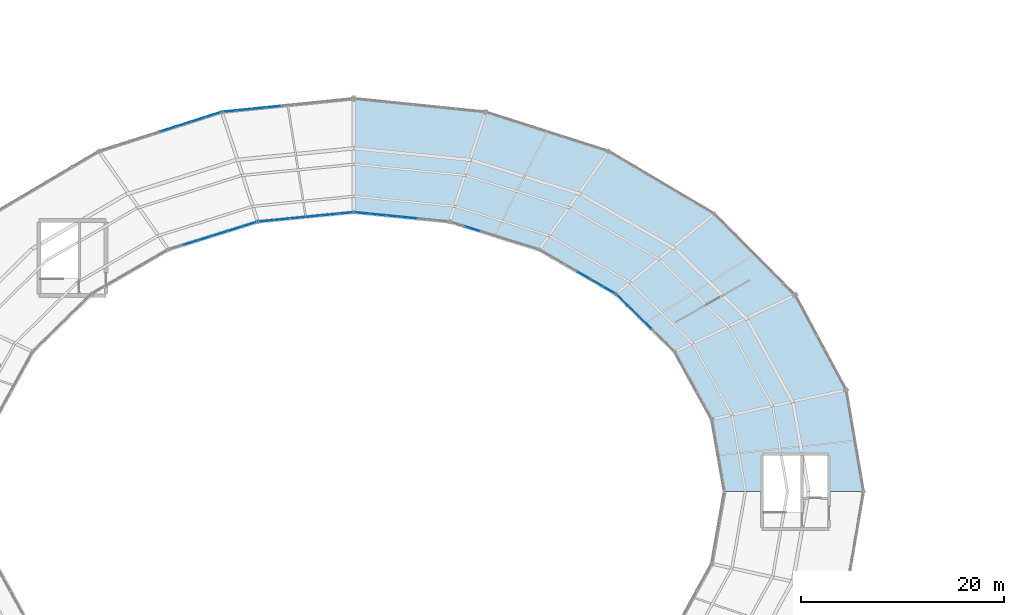
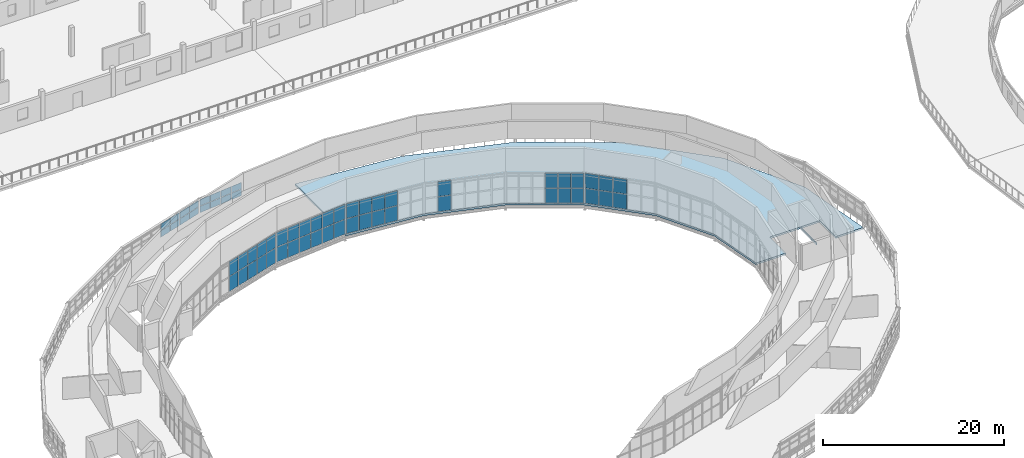
# One storey, part 84 of 123: 60 plates, 1 slab, 8 elements without a shape of their own.
"""IFC4 building model written with IfcOpenShell, lengths in metres."""

from ifc_helpers import new_model, si_unit, direction, frame, origin, origin_2d, place, context, subcontext, project, spatial, polyline, rectangle, outline, extrude, material, layer, layer_set, type_object, element, aggregate, save


model = new_model("IFC4")

# Units and contexts
model_context = context("Model", 3, precision=1e-05, world=origin(), true_north=direction((0.0, 1.0)))
body_context = subcontext(model_context, "Body", "Model", "MODEL_VIEW")
ifc_project = project(units=[si_unit("LENGTHUNIT", "METRE"), si_unit("AREAUNIT", "SQUARE_METRE"), si_unit("VOLUMEUNIT", "CUBIC_METRE"), si_unit("PLANEANGLEUNIT", "RADIAN"), si_unit("MASSUNIT", "GRAM", prefix="KILO")], contexts=[model_context])

# Site, building, storey
site_placement = place(None, origin())
site = spatial("IfcSite", under=ifc_project, at=site_placement, CompositionType="ELEMENT")
building_placement = place(site_placement, origin())
building = spatial("IfcBuilding", under=site, at=building_placement, Name="Kildeholm Park Wholesale Market", CompositionType="ELEMENT")
storey_placement = place(building_placement, frame((0.0, 0.0, 9.60009765625)))
storey = spatial("IfcBuildingStorey", under=building, at=storey_placement, Name="L02", CompositionType="ELEMENT", Elevation=9.60009765625)

# Curtain wall, plates
ifc_material_1 = material(Name="Anodised aluminium and low-E double-glazed glass", Category="aluminium")
curtain_wall_type = type_object("IfcCurtainWallType", Name="Clerestory daylight stick curtain wall CW-02", PredefinedType="NOTDEFINED", material=ifc_material_1)
curtain_wall_1_placement = place(storey_placement, origin())
curtain_wall_1 = element("IfcCurtainWall", 1, at=curtain_wall_1_placement, inside=storey, type_object=curtain_wall_type, Name="Curtain wall CW-V1-IN2-02 CW-0015", PredefinedType="NOTDEFINED")
ifc_material_2 = material(Name="Triple-glazed solar-control glass", Category="glass")
ifc_layer_1 = layer(ifc_material_2, 0.035888671875)
ifc_layer_set_1 = layer_set([ifc_layer_1], Name="Triple-glazed solar-control glass")
plate_type_1 = type_object("IfcPlateType", Name="Curtain-wall panel CWP-2 36 mm", PredefinedType="CURTAIN_PANEL", material=ifc_layer_set_1)
plate_1_placement = place(storey_placement, frame((127.714599609375, 106.1005859375, 0.06005859375), z_axis=(0.0, 0.0, 1.0), x_axis=(-0.713537995789, 0.700616534607, 0.0)))
plate_1 = element("IfcPlate", 2, at=plate_1_placement, type_object=plate_type_1, Name="CW-02 panel 3.1 PLT-0348", PredefinedType="CURTAIN_PANEL", context=body_context, shape_type="SweptSolid", body=[
    extrude(rectangle(XDim=1.5498046875, YDim=0.035888671875, at=origin_2d()), origin(), (0.0, 0.0, 1.0), 1.985107421875),
])
plate_2_placement = place(storey_placement, frame((127.714599609375, 106.1005859375, 2.10498046875), z_axis=(0.0, 0.0, 1.0), x_axis=(-0.713537995789, 0.700616534607, 0.0)))
plate_2 = element("IfcPlate", 3, at=plate_2_placement, type_object=plate_type_1, Name="CW-02 panel 3.2 PLT-0349", PredefinedType="CURTAIN_PANEL", context=body_context, shape_type="SweptSolid", body=[
    extrude(rectangle(XDim=1.5498046875, YDim=0.035888671875, at=origin_2d()), origin(), (0.0, 0.0, 1.0), 1.985107421875),
])
plate_3_placement = place(storey_placement, frame((126.56591796875, 107.228271484375, 0.06005859375), z_axis=(0.0, 0.0, 1.0), x_axis=(-0.713537995789, 0.700616534607, 0.0)))
plate_3 = element("IfcPlate", 4, at=plate_3_placement, type_object=plate_type_1, Name="CW-02 panel 4.1 PLT-0350", PredefinedType="CURTAIN_PANEL", context=body_context, shape_type="SweptSolid", body=[
    extrude(rectangle(XDim=1.5498046875, YDim=0.035888671875, at=origin_2d()), origin(), (0.0, 0.0, 1.0), 1.985107421875),
])
plate_4_placement = place(storey_placement, frame((126.56591796875, 107.228271484375, 2.10498046875), z_axis=(0.0, 0.0, 1.0), x_axis=(-0.713537995789, 0.700616534607, 0.0)))
plate_4 = element("IfcPlate", 5, at=plate_4_placement, type_object=plate_type_1, Name="CW-02 panel 4.2 PLT-0351", PredefinedType="CURTAIN_PANEL", context=body_context, shape_type="SweptSolid", body=[
    extrude(rectangle(XDim=1.5498046875, YDim=0.035888671875, at=origin_2d()), origin(), (0.0, 0.0, 1.0), 1.985107421875),
])
plate_5_placement = place(storey_placement, frame((125.427978515625, 108.345703125, 0.06005859375), z_axis=(0.0, 0.0, 1.0), x_axis=(-0.713537995789, 0.700616534607, 0.0)))
plate_5 = element("IfcPlate", 6, at=plate_5_placement, type_object=plate_type_1, Name="CW-02 panel 5.1 PLT-0352", PredefinedType="CURTAIN_PANEL", context=body_context, shape_type="SweptSolid", body=[
    extrude(rectangle(XDim=1.519775390625, YDim=0.035888671875, at=origin_2d()), origin(), (0.0, 0.0, 1.0), 1.985107421875),
])
plate_6_placement = place(storey_placement, frame((125.427978515625, 108.345703125, 2.10498046875), z_axis=(0.0, 0.0, 1.0), x_axis=(-0.713537995789, 0.700616534607, 0.0)))
plate_6 = element("IfcPlate", 7, at=plate_6_placement, type_object=plate_type_1, Name="CW-02 panel 5.2 PLT-0353", PredefinedType="CURTAIN_PANEL", context=body_context, shape_type="SweptSolid", body=[
    extrude(rectangle(XDim=1.519775390625, YDim=0.035888671875, at=origin_2d()), origin(), (0.0, 0.0, 1.0), 1.985107421875),
])
aggregate(curtain_wall_1, [plate_1, plate_2, plate_3, plate_4, plate_5, plate_6])

curtain_wall_2_placement = place(storey_placement, origin())
curtain_wall_2 = element("IfcCurtainWall", 8, at=curtain_wall_2_placement, inside=storey, type_object=curtain_wall_type, Name="Curtain wall CW-V1-IN2-03 CW-0020", PredefinedType="NOTDEFINED")
plate_7_placement = place(storey_placement, frame((124.140869140625, 109.33740234375, 0.06005859375), z_axis=(0.0, 0.0, 1.0), x_axis=(-0.865742656621, 0.500489412982, 0.0)))
plate_7 = element("IfcPlate", 9, at=plate_7_placement, type_object=plate_type_1, Name="CW-02 panel 1.1 PLT-0412", PredefinedType="CURTAIN_PANEL", context=body_context, shape_type="SweptSolid", body=[
    extrude(rectangle(XDim=1.351806640625, YDim=0.035888671875, at=origin_2d()), origin(), (0.0, 0.0, 1.0), 1.985107421875),
])
plate_8_placement = place(storey_placement, frame((124.140869140625, 109.33740234375, 2.10498046875), z_axis=(0.0, 0.0, 1.0), x_axis=(-0.865742656621, 0.500489412982, 0.0)))
plate_8 = element("IfcPlate", 10, at=plate_8_placement, type_object=plate_type_1, Name="CW-02 panel 1.2 PLT-0413", PredefinedType="CURTAIN_PANEL", context=body_context, shape_type="SweptSolid", body=[
    extrude(rectangle(XDim=1.351806640625, YDim=0.035888671875, at=origin_2d()), origin(), (0.0, 0.0, 1.0), 1.985107421875),
])
plate_9_placement = place(storey_placement, frame((122.905517578125, 110.051513671875, 0.06005859375), z_axis=(0.0, 0.0, 1.0), x_axis=(-0.865742656621, 0.500489412982, 0.0)))
plate_9 = element("IfcPlate", 11, at=plate_9_placement, type_object=plate_type_1, Name="CW-02 panel 2.1 PLT-0414", PredefinedType="CURTAIN_PANEL", context=body_context, shape_type="SweptSolid", body=[
    extrude(rectangle(XDim=1.3818359375, YDim=0.035888671875, at=origin_2d()), origin(), (0.0, 0.0, 1.0), 1.985107421875),
])
plate_10_placement = place(storey_placement, frame((122.905517578125, 110.051513671875, 2.10498046875), z_axis=(0.0, 0.0, 1.0), x_axis=(-0.865742656621, 0.500489412982, 0.0)))
plate_10 = element("IfcPlate", 12, at=plate_10_placement, type_object=plate_type_1, Name="CW-02 panel 2.2 PLT-0415", PredefinedType="CURTAIN_PANEL", context=body_context, shape_type="SweptSolid", body=[
    extrude(rectangle(XDim=1.3818359375, YDim=0.035888671875, at=origin_2d()), origin(), (0.0, 0.0, 1.0), 1.985107421875),
])
plate_11_placement = place(storey_placement, frame((121.6572265625, 110.773193359375, 0.06005859375), z_axis=(0.0, 0.0, 1.0), x_axis=(-0.865742656621, 0.500489412982, 0.0)))
plate_11 = element("IfcPlate", 13, at=plate_11_placement, type_object=plate_type_1, Name="CW-02 panel 3.1 PLT-0416", PredefinedType="CURTAIN_PANEL", context=body_context, shape_type="SweptSolid", body=[
    extrude(rectangle(XDim=1.3818359375, YDim=0.035888671875, at=origin_2d()), origin(), (0.0, 0.0, 1.0), 1.985107421875),
])
plate_12_placement = place(storey_placement, frame((121.6572265625, 110.773193359375, 2.10498046875), z_axis=(0.0, 0.0, 1.0), x_axis=(-0.865742656621, 0.500489412982, 0.0)))
plate_12 = element("IfcPlate", 14, at=plate_12_placement, type_object=plate_type_1, Name="CW-02 panel 3.2 PLT-0417", PredefinedType="CURTAIN_PANEL", context=body_context, shape_type="SweptSolid", body=[
    extrude(rectangle(XDim=1.3818359375, YDim=0.035888671875, at=origin_2d()), origin(), (0.0, 0.0, 1.0), 1.985107421875),
])
aggregate(curtain_wall_2, [plate_7, plate_8, plate_9, plate_10, plate_11, plate_12])

curtain_wall_3_placement = place(storey_placement, origin())
curtain_wall_3 = element("IfcCurtainWall", 15, at=curtain_wall_3_placement, inside=storey, type_object=curtain_wall_type, Name="Curtain wall CW-V1-IN2-04 CW-0025", PredefinedType="NOTDEFINED")
plate_13_placement = place(storey_placement, frame((110.668701171875, 115.3740234375, 0.06005859375), z_axis=(0.0, 0.0, 1.0), x_axis=(-0.954579186683, 0.297957339818, 0.0)))
plate_13 = element("IfcPlate", 16, at=plate_13_placement, type_object=plate_type_1, Name="CW-02 panel 5.1 PLT-0492", PredefinedType="CURTAIN_PANEL", context=body_context, shape_type="SweptSolid", body=[
    extrude(rectangle(XDim=1.463623046875, YDim=0.035888671875, at=origin_2d()), origin(), (0.0, 0.0, 1.0), 1.985107421875),
])
plate_14_placement = place(storey_placement, frame((110.668701171875, 115.3740234375, 2.10498046875), z_axis=(0.0, 0.0, 1.0), x_axis=(-0.954579186683, 0.297957339818, 0.0)))
plate_14 = element("IfcPlate", 17, at=plate_14_placement, type_object=plate_type_1, Name="CW-02 panel 5.2 PLT-0493", PredefinedType="CURTAIN_PANEL", context=body_context, shape_type="SweptSolid", body=[
    extrude(rectangle(XDim=1.463623046875, YDim=0.035888671875, at=origin_2d()), origin(), (0.0, 0.0, 1.0), 1.985107421875),
])
aggregate(curtain_wall_3, [plate_13, plate_14])

curtain_wall_4_placement = place(storey_placement, origin())
curtain_wall_4 = element("IfcCurtainWall", 18, at=curtain_wall_4_placement, inside=storey, type_object=curtain_wall_type, Name="Curtain wall CW-V1-IN2-05 CW-0029", PredefinedType="NOTDEFINED")
plate_15_placement = place(storey_placement, frame((104.504638671875, 116.4580078125, 0.06005859375), z_axis=(0.0, 0.0, 1.0), x_axis=(-0.995118887444, 0.098683331174, 0.0)))
plate_15 = element("IfcPlate", 19, at=plate_15_placement, type_object=plate_type_1, Name="CW-02 panel 3.1 PLT-0550", PredefinedType="CURTAIN_PANEL", context=body_context, shape_type="SweptSolid", body=[
    extrude(rectangle(XDim=1.509033203125, YDim=0.035888671875, at=origin_2d()), origin(), (0.0, 0.0, 1.0), 1.985107421875),
])
plate_16_placement = place(storey_placement, frame((104.504638671875, 116.4580078125, 2.10498046875), z_axis=(0.0, 0.0, 1.0), x_axis=(-0.995118887444, 0.098683331174, 0.0)))
plate_16 = element("IfcPlate", 20, at=plate_16_placement, type_object=plate_type_1, Name="CW-02 panel 3.2 PLT-0551", PredefinedType="CURTAIN_PANEL", context=body_context, shape_type="SweptSolid", body=[
    extrude(rectangle(XDim=1.509033203125, YDim=0.035888671875, at=origin_2d()), origin(), (0.0, 0.0, 1.0), 1.985107421875),
])
plate_17_placement = place(storey_placement, frame((102.943359375, 116.613037109375, 0.06005859375), z_axis=(0.0, 0.0, 1.0), x_axis=(-0.995118887444, 0.098683331174, 0.0)))
plate_17 = element("IfcPlate", 21, at=plate_17_placement, type_object=plate_type_1, Name="CW-02 panel 4.1 PLT-0552", PredefinedType="CURTAIN_PANEL", context=body_context, shape_type="SweptSolid", body=[
    extrude(rectangle(XDim=1.509033203125, YDim=0.035888671875, at=origin_2d()), origin(), (0.0, 0.0, 1.0), 1.985107421875),
])
plate_18_placement = place(storey_placement, frame((102.943359375, 116.613037109375, 2.10498046875), z_axis=(0.0, 0.0, 1.0), x_axis=(-0.995118887444, 0.098683331174, 0.0)))
plate_18 = element("IfcPlate", 22, at=plate_18_placement, type_object=plate_type_1, Name="CW-02 panel 4.2 PLT-0553", PredefinedType="CURTAIN_PANEL", context=body_context, shape_type="SweptSolid", body=[
    extrude(rectangle(XDim=1.509033203125, YDim=0.035888671875, at=origin_2d()), origin(), (0.0, 0.0, 1.0), 1.985107421875),
])
plate_19_placement = place(storey_placement, frame((101.382080078125, 116.767822265625, 0.06005859375), z_axis=(0.0, 0.0, 1.0), x_axis=(-0.995118887444, 0.098683331174, 0.0)))
plate_19 = element("IfcPlate", 23, at=plate_19_placement, type_object=plate_type_1, Name="CW-02 panel 5.1 PLT-0554", PredefinedType="CURTAIN_PANEL", context=body_context, shape_type="SweptSolid", body=[
    extrude(rectangle(XDim=1.509033203125, YDim=0.035888671875, at=origin_2d()), origin(), (0.0, 0.0, 1.0), 1.985107421875),
])
plate_20_placement = place(storey_placement, frame((101.382080078125, 116.767822265625, 2.10498046875), z_axis=(0.0, 0.0, 1.0), x_axis=(-0.995118887444, 0.098683331174, 0.0)))
plate_20 = element("IfcPlate", 24, at=plate_20_placement, type_object=plate_type_1, Name="CW-02 panel 5.2 PLT-0555", PredefinedType="CURTAIN_PANEL", context=body_context, shape_type="SweptSolid", body=[
    extrude(rectangle(XDim=1.509033203125, YDim=0.035888671875, at=origin_2d()), origin(), (0.0, 0.0, 1.0), 1.985107421875),
])
plate_21_placement = place(storey_placement, frame((99.835693359375, 116.921142578125, 0.06005859375), z_axis=(0.0, 0.0, 1.0), x_axis=(-0.995118887444, 0.098683331174, 0.0)))
plate_21 = element("IfcPlate", 25, at=plate_21_placement, type_object=plate_type_1, Name="CW-02 panel 6.1 PLT-0556", PredefinedType="CURTAIN_PANEL", context=body_context, shape_type="SweptSolid", body=[
    extrude(rectangle(XDim=1.47900390625, YDim=0.035888671875, at=origin_2d()), origin(), (0.0, 0.0, 1.0), 1.985107421875),
])
plate_22_placement = place(storey_placement, frame((99.835693359375, 116.921142578125, 2.10498046875), z_axis=(0.0, 0.0, 1.0), x_axis=(-0.995118887444, 0.098683331174, 0.0)))
plate_22 = element("IfcPlate", 26, at=plate_22_placement, type_object=plate_type_1, Name="CW-02 panel 6.2 PLT-0557", PredefinedType="CURTAIN_PANEL", context=body_context, shape_type="SweptSolid", body=[
    extrude(rectangle(XDim=1.47900390625, YDim=0.035888671875, at=origin_2d()), origin(), (0.0, 0.0, 1.0), 1.985107421875),
])
aggregate(curtain_wall_4, [plate_15, plate_16, plate_17, plate_18, plate_19, plate_20, plate_21, plate_22])

curtain_wall_5_placement = place(storey_placement, origin())
curtain_wall_5 = element("IfcCurtainWall", 27, at=curtain_wall_5_placement, inside=storey, type_object=curtain_wall_type, Name="Curtain wall CW-V1-IN2-06 CW-0034", PredefinedType="NOTDEFINED")
plate_23_placement = place(storey_placement, frame((98.164306640625, 116.921142578125, 0.06005859375), z_axis=(0.0, 0.0, 1.0), x_axis=(-0.995118887444, -0.098683331174, 0.0)))
plate_23 = element("IfcPlate", 28, at=plate_23_placement, type_object=plate_type_1, Name="CW-02 panel 1.1 PLT-0620", PredefinedType="CURTAIN_PANEL", context=body_context, shape_type="SweptSolid", body=[
    extrude(rectangle(XDim=1.47900390625, YDim=0.035888671875, at=origin_2d()), origin(), (0.0, 0.0, 1.0), 1.985107421875),
])
plate_24_placement = place(storey_placement, frame((98.164306640625, 116.921142578125, 2.10498046875), z_axis=(0.0, 0.0, 1.0), x_axis=(-0.995118887444, -0.098683331174, 0.0)))
plate_24 = element("IfcPlate", 29, at=plate_24_placement, type_object=plate_type_1, Name="CW-02 panel 1.2 PLT-0621", PredefinedType="CURTAIN_PANEL", context=body_context, shape_type="SweptSolid", body=[
    extrude(rectangle(XDim=1.47900390625, YDim=0.035888671875, at=origin_2d()), origin(), (0.0, 0.0, 1.0), 1.985107421875),
])
plate_25_placement = place(storey_placement, frame((96.617919921875, 116.767822265625, 0.06005859375), z_axis=(0.0, 0.0, 1.0), x_axis=(-0.995118887444, -0.098683331174, 0.0)))
plate_25 = element("IfcPlate", 30, at=plate_25_placement, type_object=plate_type_1, Name="CW-02 panel 2.1 PLT-0622", PredefinedType="CURTAIN_PANEL", context=body_context, shape_type="SweptSolid", body=[
    extrude(rectangle(XDim=1.509033203125, YDim=0.035888671875, at=origin_2d()), origin(), (0.0, 0.0, 1.0), 1.985107421875),
])
plate_26_placement = place(storey_placement, frame((96.617919921875, 116.767822265625, 2.10498046875), z_axis=(0.0, 0.0, 1.0), x_axis=(-0.995118887444, -0.098683331174, 0.0)))
plate_26 = element("IfcPlate", 31, at=plate_26_placement, type_object=plate_type_1, Name="CW-02 panel 2.2 PLT-0623", PredefinedType="CURTAIN_PANEL", context=body_context, shape_type="SweptSolid", body=[
    extrude(rectangle(XDim=1.509033203125, YDim=0.035888671875, at=origin_2d()), origin(), (0.0, 0.0, 1.0), 1.985107421875),
])
plate_27_placement = place(storey_placement, frame((95.056640625, 116.613037109375, 0.06005859375), z_axis=(0.0, 0.0, 1.0), x_axis=(-0.995118887444, -0.098683331174, 0.0)))
plate_27 = element("IfcPlate", 32, at=plate_27_placement, type_object=plate_type_1, Name="CW-02 panel 3.1 PLT-0624", PredefinedType="CURTAIN_PANEL", context=body_context, shape_type="SweptSolid", body=[
    extrude(rectangle(XDim=1.509033203125, YDim=0.035888671875, at=origin_2d()), origin(), (0.0, 0.0, 1.0), 1.985107421875),
])
plate_28_placement = place(storey_placement, frame((95.056640625, 116.613037109375, 2.10498046875), z_axis=(0.0, 0.0, 1.0), x_axis=(-0.995118887444, -0.098683331174, 0.0)))
plate_28 = element("IfcPlate", 33, at=plate_28_placement, type_object=plate_type_1, Name="CW-02 panel 3.2 PLT-0625", PredefinedType="CURTAIN_PANEL", context=body_context, shape_type="SweptSolid", body=[
    extrude(rectangle(XDim=1.509033203125, YDim=0.035888671875, at=origin_2d()), origin(), (0.0, 0.0, 1.0), 1.985107421875),
])
plate_29_placement = place(storey_placement, frame((93.495361328125, 116.4580078125, 0.06005859375), z_axis=(0.0, 0.0, 1.0), x_axis=(-0.995118887444, -0.098683331174, 0.0)))
plate_29 = element("IfcPlate", 34, at=plate_29_placement, type_object=plate_type_1, Name="CW-02 panel 4.1 PLT-0626", PredefinedType="CURTAIN_PANEL", context=body_context, shape_type="SweptSolid", body=[
    extrude(rectangle(XDim=1.509033203125, YDim=0.035888671875, at=origin_2d()), origin(), (0.0, 0.0, 1.0), 1.985107421875),
])
plate_30_placement = place(storey_placement, frame((93.495361328125, 116.4580078125, 2.10498046875), z_axis=(0.0, 0.0, 1.0), x_axis=(-0.995118887444, -0.098683331174, 0.0)))
plate_30 = element("IfcPlate", 35, at=plate_30_placement, type_object=plate_type_1, Name="CW-02 panel 4.2 PLT-0627", PredefinedType="CURTAIN_PANEL", context=body_context, shape_type="SweptSolid", body=[
    extrude(rectangle(XDim=1.509033203125, YDim=0.035888671875, at=origin_2d()), origin(), (0.0, 0.0, 1.0), 1.985107421875),
])
plate_31_placement = place(storey_placement, frame((91.93408203125, 116.30322265625, 0.06005859375), z_axis=(0.0, 0.0, 1.0), x_axis=(-0.995118887444, -0.098683331174, 0.0)))
plate_31 = element("IfcPlate", 36, at=plate_31_placement, type_object=plate_type_1, Name="CW-02 panel 5.1 PLT-0628", PredefinedType="CURTAIN_PANEL", context=body_context, shape_type="SweptSolid", body=[
    extrude(rectangle(XDim=1.509033203125, YDim=0.035888671875, at=origin_2d()), origin(), (0.0, 0.0, 1.0), 1.985107421875),
])
plate_32_placement = place(storey_placement, frame((91.93408203125, 116.30322265625, 2.10498046875), z_axis=(0.0, 0.0, 1.0), x_axis=(-0.995118887444, -0.098683331174, 0.0)))
plate_32 = element("IfcPlate", 37, at=plate_32_placement, type_object=plate_type_1, Name="CW-02 panel 5.2 PLT-0629", PredefinedType="CURTAIN_PANEL", context=body_context, shape_type="SweptSolid", body=[
    extrude(rectangle(XDim=1.509033203125, YDim=0.035888671875, at=origin_2d()), origin(), (0.0, 0.0, 1.0), 1.985107421875),
])
plate_33_placement = place(storey_placement, frame((90.3876953125, 116.14990234375, 0.06005859375), z_axis=(0.0, 0.0, 1.0), x_axis=(-0.995118887444, -0.098683331174, 0.0)))
plate_33 = element("IfcPlate", 38, at=plate_33_placement, type_object=plate_type_1, Name="CW-02 panel 6.1 PLT-0630", PredefinedType="CURTAIN_PANEL", context=body_context, shape_type="SweptSolid", body=[
    extrude(rectangle(XDim=1.47900390625, YDim=0.035888671875, at=origin_2d()), origin(), (0.0, 0.0, 1.0), 1.985107421875),
])
plate_34_placement = place(storey_placement, frame((90.3876953125, 116.14990234375, 2.10498046875), z_axis=(0.0, 0.0, 1.0), x_axis=(-0.995118887444, -0.098683331174, 0.0)))
plate_34 = element("IfcPlate", 39, at=plate_34_placement, type_object=plate_type_1, Name="CW-02 panel 6.2 PLT-0631", PredefinedType="CURTAIN_PANEL", context=body_context, shape_type="SweptSolid", body=[
    extrude(rectangle(XDim=1.47900390625, YDim=0.035888671875, at=origin_2d()), origin(), (0.0, 0.0, 1.0), 1.985107421875),
])
aggregate(curtain_wall_5, [plate_23, plate_24, plate_25, plate_26, plate_27, plate_28, plate_29, plate_30, plate_31, plate_32, plate_33, plate_34])

curtain_wall_6_placement = place(storey_placement, origin())
curtain_wall_6 = element("IfcCurtainWall", 40, at=curtain_wall_6_placement, inside=storey, type_object=curtain_wall_type, Name="Curtain wall CW-V1-IN2-07 CW-0038", PredefinedType="NOTDEFINED")
plate_35_placement = place(storey_placement, frame((88.771484375, 115.823486328125, 0.06005859375), z_axis=(0.0, 0.0, 1.0), x_axis=(-0.954579186683, -0.297957339818, 0.0)))
plate_35 = element("IfcPlate", 41, at=plate_35_placement, type_object=plate_type_1, Name="CW-02 panel 1.1 PLT-0680", PredefinedType="CURTAIN_PANEL", context=body_context, shape_type="SweptSolid", body=[
    extrude(rectangle(XDim=1.43359375, YDim=0.035888671875, at=origin_2d()), origin(), (0.0, 0.0, 1.0), 1.985107421875),
])
plate_36_placement = place(storey_placement, frame((88.771484375, 115.823486328125, 2.10498046875), z_axis=(0.0, 0.0, 1.0), x_axis=(-0.954579186683, -0.297957339818, 0.0)))
plate_36 = element("IfcPlate", 42, at=plate_36_placement, type_object=plate_type_1, Name="CW-02 panel 1.2 PLT-0681", PredefinedType="CURTAIN_PANEL", context=body_context, shape_type="SweptSolid", body=[
    extrude(rectangle(XDim=1.43359375, YDim=0.035888671875, at=origin_2d()), origin(), (0.0, 0.0, 1.0), 1.985107421875),
])
plate_37_placement = place(storey_placement, frame((87.331298828125, 115.3740234375, 0.06005859375), z_axis=(0.0, 0.0, 1.0), x_axis=(-0.954579186683, -0.297957339818, 0.0)))
plate_37 = element("IfcPlate", 43, at=plate_37_placement, type_object=plate_type_1, Name="CW-02 panel 2.1 PLT-0682", PredefinedType="CURTAIN_PANEL", context=body_context, shape_type="SweptSolid", body=[
    extrude(rectangle(XDim=1.463623046875, YDim=0.035888671875, at=origin_2d()), origin(), (0.0, 0.0, 1.0), 1.985107421875),
])
plate_38_placement = place(storey_placement, frame((87.331298828125, 115.3740234375, 2.10498046875), z_axis=(0.0, 0.0, 1.0), x_axis=(-0.954579186683, -0.297957339818, 0.0)))
plate_38 = element("IfcPlate", 44, at=plate_38_placement, type_object=plate_type_1, Name="CW-02 panel 2.2 PLT-0683", PredefinedType="CURTAIN_PANEL", context=body_context, shape_type="SweptSolid", body=[
    extrude(rectangle(XDim=1.463623046875, YDim=0.035888671875, at=origin_2d()), origin(), (0.0, 0.0, 1.0), 1.985107421875),
])
plate_39_placement = place(storey_placement, frame((85.876708984375, 114.919921875, 0.06005859375), z_axis=(0.0, 0.0, 1.0), x_axis=(-0.954579186683, -0.297957339818, 0.0)))
plate_39 = element("IfcPlate", 45, at=plate_39_placement, type_object=plate_type_1, Name="CW-02 panel 3.1 PLT-0684", PredefinedType="CURTAIN_PANEL", context=body_context, shape_type="SweptSolid", body=[
    extrude(rectangle(XDim=1.463623046875, YDim=0.035888671875, at=origin_2d()), origin(), (0.0, 0.0, 1.0), 1.985107421875),
])
plate_40_placement = place(storey_placement, frame((85.876708984375, 114.919921875, 2.10498046875), z_axis=(0.0, 0.0, 1.0), x_axis=(-0.954579186683, -0.297957339818, 0.0)))
plate_40 = element("IfcPlate", 46, at=plate_40_placement, type_object=plate_type_1, Name="CW-02 panel 3.2 PLT-0685", PredefinedType="CURTAIN_PANEL", context=body_context, shape_type="SweptSolid", body=[
    extrude(rectangle(XDim=1.463623046875, YDim=0.035888671875, at=origin_2d()), origin(), (0.0, 0.0, 1.0), 1.985107421875),
])
plate_41_placement = place(storey_placement, frame((84.42236328125, 114.466064453125, 0.06005859375), z_axis=(0.0, 0.0, 1.0), x_axis=(-0.954579186683, -0.297957339818, 0.0)))
plate_41 = element("IfcPlate", 47, at=plate_41_placement, type_object=plate_type_1, Name="CW-02 panel 4.1 PLT-0686", PredefinedType="CURTAIN_PANEL", context=body_context, shape_type="SweptSolid", body=[
    extrude(rectangle(XDim=1.463623046875, YDim=0.035888671875, at=origin_2d()), origin(), (0.0, 0.0, 1.0), 1.985107421875),
])
plate_42_placement = place(storey_placement, frame((84.42236328125, 114.466064453125, 2.10498046875), z_axis=(0.0, 0.0, 1.0), x_axis=(-0.954579186683, -0.297957339818, 0.0)))
plate_42 = element("IfcPlate", 48, at=plate_42_placement, type_object=plate_type_1, Name="CW-02 panel 4.2 PLT-0687", PredefinedType="CURTAIN_PANEL", context=body_context, shape_type="SweptSolid", body=[
    extrude(rectangle(XDim=1.463623046875, YDim=0.035888671875, at=origin_2d()), origin(), (0.0, 0.0, 1.0), 1.985107421875),
])
plate_43_placement = place(storey_placement, frame((82.9677734375, 114.011962890625, 0.06005859375), z_axis=(0.0, 0.0, 1.0), x_axis=(-0.954579186683, -0.297957339818, 0.0)))
plate_43 = element("IfcPlate", 49, at=plate_43_placement, type_object=plate_type_1, Name="CW-02 panel 5.1 PLT-0688", PredefinedType="CURTAIN_PANEL", context=body_context, shape_type="SweptSolid", body=[
    extrude(rectangle(XDim=1.463623046875, YDim=0.035888671875, at=origin_2d()), origin(), (0.0, 0.0, 1.0), 1.985107421875),
])
plate_44_placement = place(storey_placement, frame((82.9677734375, 114.011962890625, 2.10498046875), z_axis=(0.0, 0.0, 1.0), x_axis=(-0.954579186683, -0.297957339818, 0.0)))
plate_44 = element("IfcPlate", 50, at=plate_44_placement, type_object=plate_type_1, Name="CW-02 panel 5.2 PLT-0689", PredefinedType="CURTAIN_PANEL", context=body_context, shape_type="SweptSolid", body=[
    extrude(rectangle(XDim=1.463623046875, YDim=0.035888671875, at=origin_2d()), origin(), (0.0, 0.0, 1.0), 1.985107421875),
])
aggregate(curtain_wall_6, [plate_35, plate_36, plate_37, plate_38, plate_39, plate_40, plate_41, plate_42, plate_43, plate_44])

curtain_wall_7_placement = place(storey_placement, origin())
curtain_wall_7 = element("IfcCurtainWall", 51, at=curtain_wall_7_placement, inside=storey, type_object=curtain_wall_type, Name="Curtain wall CW-V1-CL-06 CW-0031", PredefinedType="NOTDEFINED")
ifc_material_3 = material(Name="Fritted solar-control clerestory glass", Category="glass")
ifc_layer_2 = layer(ifc_material_3, 0.031982421875)
ifc_layer_set_2 = layer_set([ifc_layer_2], Name="Fritted solar-control clerestory glass")
plate_type_2 = type_object("IfcPlateType", Name="Curtain-wall panel CWP-4 32 mm", PredefinedType="CURTAIN_PANEL", material=ifc_layer_set_2)
plate_45_placement = place(storey_placement, frame((91.068115234375, 127.39892578125, 1.40966796875), z_axis=(0.0, 0.0, 1.0), x_axis=(-0.994886564926, -0.100998628351, 0.0)))
plate_45 = element("IfcPlate", 52, at=plate_45_placement, type_object=plate_type_2, Name="CW-02 panel 6.1 PLT-0588", PredefinedType="CURTAIN_PANEL", context=body_context, shape_type="SweptSolid", body=[
    extrude(rectangle(XDim=1.38232421875, YDim=0.031982421875, at=origin_2d()), origin(), (0.0, 0.0, 1.0), 0.860107421875),
])
plate_46_placement = place(storey_placement, frame((91.068115234375, 127.39892578125, 2.330078125), z_axis=(0.0, 0.0, 1.0), x_axis=(-0.994886564926, -0.100998628351, 0.0)))
plate_46 = element("IfcPlate", 53, at=plate_46_placement, type_object=plate_type_2, Name="CW-02 panel 6.2 PLT-0589", PredefinedType="CURTAIN_PANEL", context=body_context, shape_type="SweptSolid", body=[
    extrude(rectangle(XDim=1.38232421875, YDim=0.031982421875, at=origin_2d()), origin(), (0.0, 0.0, 1.0), 0.860107421875),
])
plate_47_placement = place(storey_placement, frame((89.63330078125, 127.253173828125, 1.40966796875), z_axis=(0.0, 0.0, 1.0), x_axis=(-0.994886564926, -0.100998628351, 0.0)))
plate_47 = element("IfcPlate", 54, at=plate_47_placement, type_object=plate_type_2, Name="CW-02 panel 7.1 PLT-0590", PredefinedType="CURTAIN_PANEL", context=body_context, shape_type="SweptSolid", body=[
    extrude(rectangle(XDim=1.38232421875, YDim=0.031982421875, at=origin_2d()), origin(), (0.0, 0.0, 1.0), 0.860107421875),
])
plate_48_placement = place(storey_placement, frame((89.63330078125, 127.253173828125, 2.330078125), z_axis=(0.0, 0.0, 1.0), x_axis=(-0.994886564926, -0.100998628351, 0.0)))
plate_48 = element("IfcPlate", 55, at=plate_48_placement, type_object=plate_type_2, Name="CW-02 panel 7.2 PLT-0591", PredefinedType="CURTAIN_PANEL", context=body_context, shape_type="SweptSolid", body=[
    extrude(rectangle(XDim=1.38232421875, YDim=0.031982421875, at=origin_2d()), origin(), (0.0, 0.0, 1.0), 0.860107421875),
])
plate_49_placement = place(storey_placement, frame((88.1982421875, 127.107421875, 1.40966796875), z_axis=(0.0, 0.0, 1.0), x_axis=(-0.994886564926, -0.100998628351, 0.0)))
plate_49 = element("IfcPlate", 56, at=plate_49_placement, type_object=plate_type_2, Name="CW-02 panel 8.1 PLT-0592", PredefinedType="CURTAIN_PANEL", context=body_context, shape_type="SweptSolid", body=[
    extrude(rectangle(XDim=1.38232421875, YDim=0.031982421875, at=origin_2d()), origin(), (0.0, 0.0, 1.0), 0.860107421875),
])
plate_50_placement = place(storey_placement, frame((88.1982421875, 127.107421875, 2.330078125), z_axis=(0.0, 0.0, 1.0), x_axis=(-0.994886564926, -0.100998628351, 0.0)))
plate_50 = element("IfcPlate", 57, at=plate_50_placement, type_object=plate_type_2, Name="CW-02 panel 8.2 PLT-0593", PredefinedType="CURTAIN_PANEL", context=body_context, shape_type="SweptSolid", body=[
    extrude(rectangle(XDim=1.38232421875, YDim=0.031982421875, at=origin_2d()), origin(), (0.0, 0.0, 1.0), 0.860107421875),
])
plate_51_placement = place(storey_placement, frame((86.7783203125, 126.96337890625, 1.40966796875), z_axis=(0.0, 0.0, 1.0), x_axis=(-0.994886564926, -0.100998628351, 0.0)))
plate_51 = element("IfcPlate", 58, at=plate_51_placement, type_object=plate_type_2, Name="CW-02 panel 9.1 PLT-0594", PredefinedType="CURTAIN_PANEL", context=body_context, shape_type="SweptSolid", body=[
    extrude(rectangle(XDim=1.352294921875, YDim=0.031982421875, at=origin_2d()), origin(), (0.0, 0.0, 1.0), 0.860107421875),
])
plate_52_placement = place(storey_placement, frame((86.7783203125, 126.96337890625, 2.330078125), z_axis=(0.0, 0.0, 1.0), x_axis=(-0.994886564926, -0.100998628351, 0.0)))
plate_52 = element("IfcPlate", 59, at=plate_52_placement, type_object=plate_type_2, Name="CW-02 panel 9.2 PLT-0595", PredefinedType="CURTAIN_PANEL", context=body_context, shape_type="SweptSolid", body=[
    extrude(rectangle(XDim=1.352294921875, YDim=0.031982421875, at=origin_2d()), origin(), (0.0, 0.0, 1.0), 0.860107421875),
])
aggregate(curtain_wall_7, [plate_45, plate_46, plate_47, plate_48, plate_49, plate_50, plate_51, plate_52])

curtain_wall_8_placement = place(storey_placement, origin())
curtain_wall_8 = element("IfcCurtainWall", 60, at=curtain_wall_8_placement, inside=storey, type_object=curtain_wall_type, Name="Curtain wall CW-V1-CL-07 CW-0036", PredefinedType="NOTDEFINED")
plate_53_placement = place(storey_placement, frame((85.20068359375, 126.62841796875, 1.40966796875), z_axis=(0.0, 0.0, 1.0), x_axis=(-0.952606009241, -0.304206822997, 0.0)))
plate_53 = element("IfcPlate", 61, at=plate_53_placement, type_object=plate_type_2, Name="CW-02 panel 1.1 PLT-0652", PredefinedType="CURTAIN_PANEL", context=body_context, shape_type="SweptSolid", body=[
    extrude(rectangle(XDim=1.48876953125, YDim=0.031982421875, at=origin_2d()), origin(), (0.0, 0.0, 1.0), 0.860107421875),
])
plate_54_placement = place(storey_placement, frame((85.20068359375, 126.62841796875, 2.330078125), z_axis=(0.0, 0.0, 1.0), x_axis=(-0.952606009241, -0.304206822997, 0.0)))
plate_54 = element("IfcPlate", 62, at=plate_54_placement, type_object=plate_type_2, Name="CW-02 panel 1.2 PLT-0653", PredefinedType="CURTAIN_PANEL", context=body_context, shape_type="SweptSolid", body=[
    extrude(rectangle(XDim=1.48876953125, YDim=0.031982421875, at=origin_2d()), origin(), (0.0, 0.0, 1.0), 0.860107421875),
])
plate_55_placement = place(storey_placement, frame((83.711181640625, 126.152587890625, 1.40966796875), z_axis=(0.0, 0.0, 1.0), x_axis=(-0.952606009241, -0.304206822997, 0.0)))
plate_55 = element("IfcPlate", 63, at=plate_55_placement, type_object=plate_type_2, Name="CW-02 panel 2.1 PLT-0654", PredefinedType="CURTAIN_PANEL", context=body_context, shape_type="SweptSolid", body=[
    extrude(rectangle(XDim=1.518798828125, YDim=0.031982421875, at=origin_2d()), origin(), (0.0, 0.0, 1.0), 0.860107421875),
])
plate_56_placement = place(storey_placement, frame((83.711181640625, 126.152587890625, 2.330078125), z_axis=(0.0, 0.0, 1.0), x_axis=(-0.952606009241, -0.304206822997, 0.0)))
plate_56 = element("IfcPlate", 64, at=plate_56_placement, type_object=plate_type_2, Name="CW-02 panel 2.2 PLT-0655", PredefinedType="CURTAIN_PANEL", context=body_context, shape_type="SweptSolid", body=[
    extrude(rectangle(XDim=1.518798828125, YDim=0.031982421875, at=origin_2d()), origin(), (0.0, 0.0, 1.0), 0.860107421875),
])
plate_57_placement = place(storey_placement, frame((82.207275390625, 125.67236328125, 1.40966796875), z_axis=(0.0, 0.0, 1.0), x_axis=(-0.952606009241, -0.304206822997, 0.0)))
plate_57 = element("IfcPlate", 65, at=plate_57_placement, type_object=plate_type_2, Name="CW-02 panel 3.1 PLT-0656", PredefinedType="CURTAIN_PANEL", context=body_context, shape_type="SweptSolid", body=[
    extrude(rectangle(XDim=1.518798828125, YDim=0.031982421875, at=origin_2d()), origin(), (0.0, 0.0, 1.0), 0.860107421875),
])
plate_58_placement = place(storey_placement, frame((82.207275390625, 125.67236328125, 2.330078125), z_axis=(0.0, 0.0, 1.0), x_axis=(-0.952606009241, -0.304206822997, 0.0)))
plate_58 = element("IfcPlate", 66, at=plate_58_placement, type_object=plate_type_2, Name="CW-02 panel 3.2 PLT-0657", PredefinedType="CURTAIN_PANEL", context=body_context, shape_type="SweptSolid", body=[
    extrude(rectangle(XDim=1.518798828125, YDim=0.031982421875, at=origin_2d()), origin(), (0.0, 0.0, 1.0), 0.860107421875),
])
plate_59_placement = place(storey_placement, frame((80.703369140625, 125.192138671875, 1.40966796875), z_axis=(0.0, 0.0, 1.0), x_axis=(-0.952606009241, -0.304206822997, 0.0)))
plate_59 = element("IfcPlate", 67, at=plate_59_placement, type_object=plate_type_2, Name="CW-02 panel 4.1 PLT-0658", PredefinedType="CURTAIN_PANEL", context=body_context, shape_type="SweptSolid", body=[
    extrude(rectangle(XDim=1.518798828125, YDim=0.031982421875, at=origin_2d()), origin(), (0.0, 0.0, 1.0), 0.860107421875),
])
plate_60_placement = place(storey_placement, frame((80.703369140625, 125.192138671875, 2.330078125), z_axis=(0.0, 0.0, 1.0), x_axis=(-0.952606009241, -0.304206822997, 0.0)))
plate_60 = element("IfcPlate", 68, at=plate_60_placement, type_object=plate_type_2, Name="CW-02 panel 4.2 PLT-0659", PredefinedType="CURTAIN_PANEL", context=body_context, shape_type="SweptSolid", body=[
    extrude(rectangle(XDim=1.518798828125, YDim=0.031982421875, at=origin_2d()), origin(), (0.0, 0.0, 1.0), 0.860107421875),
])
aggregate(curtain_wall_8, [plate_53, plate_54, plate_55, plate_56, plate_57, plate_58, plate_59, plate_60])

# Slab
ifc_material_4 = material(Name="Concrete C35/45", Category="concrete")
ifc_layer_3 = layer(ifc_material_4, 0.25)
ifc_layer_set_3 = layer_set([ifc_layer_3], Name="Concrete C35/45")
slab_type = type_object("IfcSlabType", Name="Slab S-FL1 250 mm", PredefinedType="FLOOR", material=ifc_layer_set_3)
slab_placement = place(storey_placement, frame((0.0, 0.0, -0.25)))
element("IfcSlab", 69, at=slab_placement, inside=storey, type_object=slab_type, Name="Produce hall L02 inner ring slab quadrant 1 SLB-0003", PredefinedType="FLOOR", context=body_context, shape_type="SweptSolid", body=[
    extrude(outline(polyline([(135.5, 89.5), (134.256103515625, 96.617919921875), (130.610107421875, 103.25), (124.80908203125, 108.945068359375), (117.25, 113.31591796875), (108.447021484375, 116.06298828125), (99.0, 117.0), (99.0, 128.199951171875), (111.992919921875, 126.881103515625), (124.10009765625, 123.014892578125), (134.4970703125, 116.864990234375), (142.47412109375, 108.85009765625), (147.489013671875, 99.51611328125), (149.199951171875, 89.5), (145.679931640625, 89.5), (145.679931640625, 93.080078125), (143.280029296875, 93.080078125), (143.280029296875, 89.5), (143.179931640625, 89.5), (143.179931640625, 93.080078125), (139.320068359375, 93.080078125), (139.320068359375, 89.5), (135.5, 89.5)])), origin(), (0.0, 0.0, 1.0), 0.25),
])

save(model, "model.ifc")
